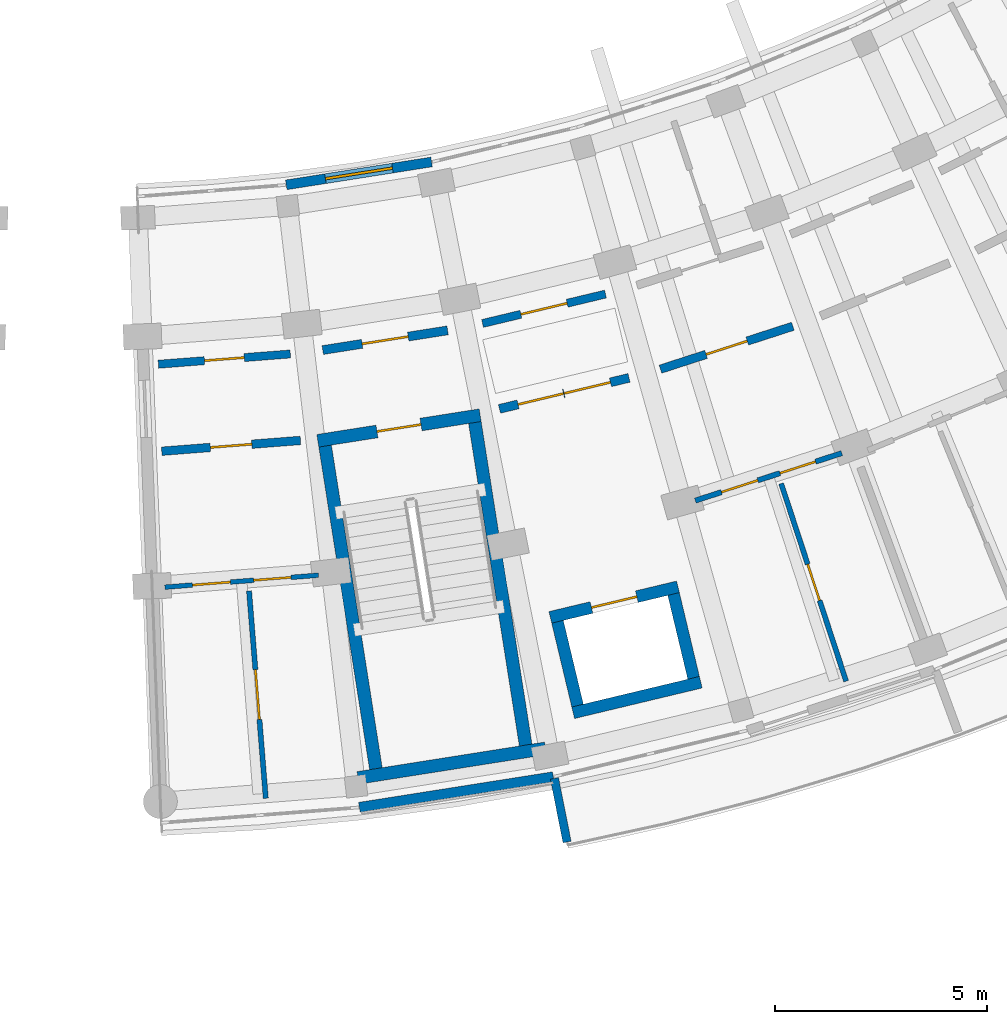
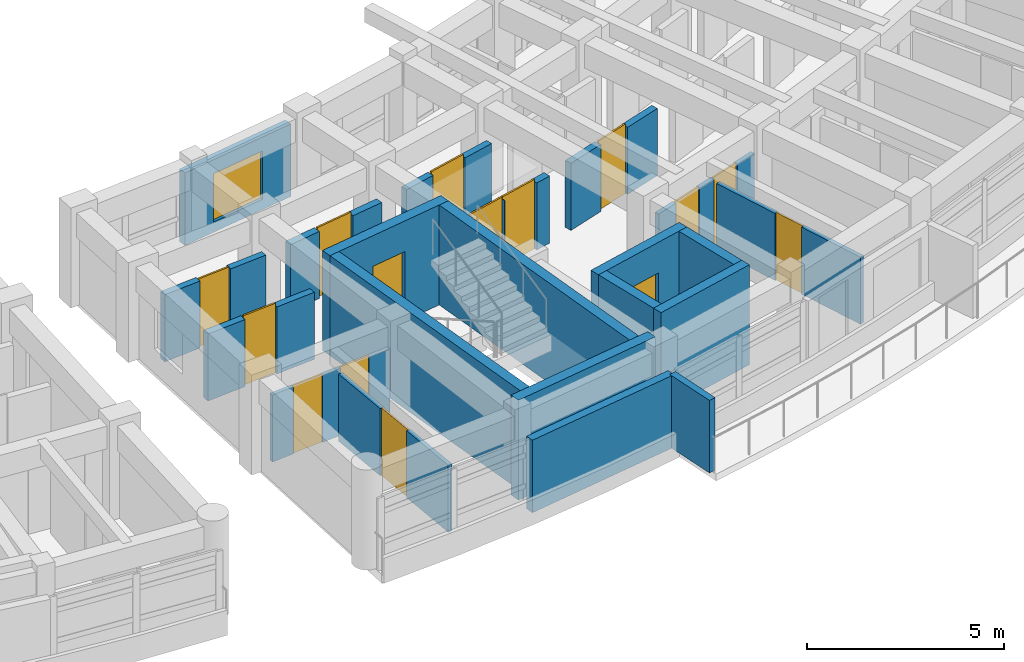
# One storey, part 52 of 70: 21 walls, 15 doors, 1 window, 16 openings.
"""IFC4 building model written with IfcOpenShell, lengths in metres."""

from ifc_helpers import new_model, si_unit, direction, frame, frame_2d, origin, place, context, subcontext, project, spatial, rectangle, extrude, material, layer, layer_set, type_object, element, fill, save


model = new_model("IFC4")

# Units and contexts
model_context = context("Model", 3, precision=1e-05, world=origin(), true_north=direction((0.0, 1.0)))
body_context = subcontext(model_context, "Body", "Model", "MODEL_VIEW")
ifc_project = project(units=[si_unit("LENGTHUNIT", "METRE"), si_unit("AREAUNIT", "SQUARE_METRE"), si_unit("VOLUMEUNIT", "CUBIC_METRE"), si_unit("PLANEANGLEUNIT", "RADIAN"), si_unit("MASSUNIT", "GRAM", prefix="KILO")], contexts=[model_context])

# Site, building, storey
site_placement = place(None, origin())
site = spatial("IfcSite", under=ifc_project, at=site_placement, CompositionType="ELEMENT")
building_placement = place(site_placement, origin())
building = spatial("IfcBuilding", under=site, at=building_placement, Name="Zimvara Arc Housing Community", CompositionType="ELEMENT")
storey_placement = place(building_placement, frame((0.0, 0.0, 8.10009765625)))
storey = spatial("IfcBuildingStorey", under=building, at=storey_placement, Name="L02", CompositionType="ELEMENT", Elevation=8.10009765625)

# Wall, opening, window
ifc_material_1 = material(Name="Board-Marked Fair-Faced Concrete C35/45", Category="concrete")
ifc_layer_1 = layer(ifc_material_1, 0.22998046875)
ifc_layer_set_1 = layer_set([ifc_layer_1], Name="Board-Marked Fair-Faced Concrete C35/45")
wall_type_1 = type_object("IfcWallType", Name="EWL-CONC-230", PredefinedType="SOLIDWALL", material=ifc_layer_set_1)
wall_1_placement = place(storey_placement, frame((131.20556640625, 65.5478515625, 0.0), z_axis=(0.0, 0.0, 1.0), x_axis=(0.987825183084, 0.155568016203, 0.0)))
wall_1 = element("IfcWall", 1, at=wall_1_placement, inside=storey, type_object=wall_type_1, Name="ewall:blkD:L02:in:b1", PredefinedType="SOLIDWALL", context=body_context, shape_type="SweptSolid", body=[
    extrude(rectangle(XDim=3.463623046875, YDim=0.22998046875, at=frame_2d((1.73193359375, 0.0))), origin(), (0.0, 0.0, 1.0), 2.25),
])
opening_1_placement = place(wall_1_placement, frame((0.931884765625, 0.0, 0.320068359375)))
opening_1 = element("IfcOpeningElement", 2, at=opening_1_placement, cuts=wall_1, Name="Opening W03", PredefinedType="OPENING", context=body_context, shape_type="SweptSolid", body=[
    extrude(rectangle(XDim=1.60009765625, YDim=1.5, at=frame_2d((0.800048828125, 0.75))), frame((0.0, 0.125, 0.0), z_axis=(0.0, -1.0, 0.0), x_axis=(1.0, 0.0, 0.0)), (0.0, 0.0, 1.0), 0.25),
])
ifc_material_2 = material(Name="Solar Control Low-E Double Glazing", Category="glass")
window_type = type_object("IfcWindowType", Name="WIN-RES-1600x1500", PartitioningType="DOUBLE_PANEL_VERTICAL", PredefinedType="WINDOW", material=ifc_material_2)
window_placement = place(opening_1_placement, origin())
window = element("IfcWindow", 3, at=window_placement, inside=storey, type_object=window_type, Name="win:blkD:L02:in:b1", OverallHeight=1.5, OverallWidth=1.60009765625, PartitioningType="DOUBLE_PANEL_VERTICAL", PredefinedType="WINDOW", context=body_context, shape_type="SweptSolid", body=[
    extrude(rectangle(XDim=1.60009765625, YDim=1.5, at=frame_2d((0.800048828125, 0.75))), frame((0.0, 0.030029296875, 0.0), z_axis=(0.0, -1.0, 0.0), x_axis=(1.0, 0.0, 0.0)), (0.0, 0.0, 1.0), 0.06005859375),
])
fill(opening_1, window)

# Walls
ifc_material_3 = material(Name="Board-Marked Fair-Faced Concrete C35/45", Category="concrete")
ifc_layer_2 = layer(ifc_material_3, 0.195068359375)
ifc_layer_set_2 = layer_set([ifc_layer_2], Name="Board-Marked Fair-Faced Concrete C35/45")
wall_type_2 = type_object("IfcWallType", Name="EWL-PARA-195", PredefinedType="PARAPET", material=ifc_layer_set_2)
wall_2_placement = place(storey_placement, frame((137.521484375, 51.571533203125, 0.0), z_axis=(0.0, 0.0, 1.0), x_axis=(0.194213040361, -0.980959374772, 0.0)))
element("IfcWall", 4, at=wall_2_placement, inside=storey, type_object=wall_type_2, Name="finwall:blkD:L02:out:b2", PredefinedType="PARAPET", context=body_context, shape_type="SweptSolid", body=[
    extrude(rectangle(XDim=1.52978515625, YDim=0.195068359375, at=frame_2d((0.764892578125, 0.0))), origin(), (0.0, 0.0, 1.0), 2.25),
])
ifc_material_4 = material(Name="Pigmented Fair-Faced Concrete C35/45", Category="concrete")
ifc_layer_3 = layer(ifc_material_4, 0.235107421875)
ifc_layer_set_3 = layer_set([ifc_layer_3], Name="Pigmented Fair-Faced Concrete C35/45")
wall_type_3 = type_object("IfcWallType", Name="EWL-PIGM-235", PredefinedType="SOLIDWALL", material=ifc_layer_set_3)
wall_3_placement = place(storey_placement, frame((132.927734375, 50.888671875, 0.0), z_axis=(0.0, 0.0, 1.0), x_axis=(0.987828826394, 0.155544880165, 0.0)))
element("IfcWall", 5, at=wall_3_placement, inside=storey, type_object=wall_type_3, Name="ewall:blkD:L02:out:b1", PredefinedType="SOLIDWALL", context=body_context, shape_type="SweptSolid", body=[
    extrude(rectangle(XDim=4.622314453125, YDim=0.235107421875, at=frame_2d((2.31103515625, 0.0))), origin(), (0.0, 0.0, 1.0), 2.25),
])

# Wall, opening, door
ifc_material_5 = material(Name="Concrete C35/45", Category="concrete")
ifc_layer_4 = layer(ifc_material_5, 0.2099609375)
ifc_layer_set_4 = layer_set([ifc_layer_4], Name="Concrete C35/45")
wall_type_4 = type_object("IfcWallType", Name="IWL-CCF-210", PredefinedType="SOLIDWALL", material=ifc_layer_set_4)
wall_4_placement = place(storey_placement, frame((132.065185546875, 61.6572265625, 0.0), z_axis=(0.0, 0.0, 1.0), x_axis=(0.987816121487, 0.155625544594, 0.0)))
wall_4 = element("IfcWall", 6, at=wall_4_placement, inside=storey, type_object=wall_type_4, Name="iwall:blkD:L02:ccf_div:b1", PredefinedType="SOLIDWALL", context=body_context, shape_type="SweptSolid", body=[
    extrude(rectangle(XDim=2.97607421875, YDim=0.2099609375, at=frame_2d((1.488037109375, 0.0))), origin(), (0.0, 0.0, 1.0), 2.079833984375),
])
opening_2_placement = place(wall_4_placement, frame((0.93798828125, 0.0, 0.0)))
opening_2 = element("IfcOpeningElement", 7, at=opening_2_placement, cuts=wall_4, Name="Opening FD-CCF1", PredefinedType="OPENING", context=body_context, shape_type="SweptSolid", body=[
    extrude(rectangle(XDim=1.10009765625, YDim=2.14990234375, at=frame_2d((0.550048828125, 1.074951171875))), frame((0.0, 0.114990234375, 0.0), z_axis=(0.0, -1.0, 0.0), x_axis=(1.0, 0.0, 0.0)), (0.0, 0.0, 1.0), 0.22998046875),
])
ifc_material_6 = material(Name="Anodised Aluminium AW-6063", Category="aluminium")
door_type_1 = type_object("IfcDoorType", Name="IDR-CCF-1100x2150", OperationType="NOTDEFINED", PredefinedType="DOOR", material=ifc_material_6)
door_1_placement = place(opening_2_placement, origin())
door_1 = element("IfcDoor", 8, at=door_1_placement, inside=storey, type_object=door_type_1, Name="idoor:blkD:L02:ccf_in:b1", OperationType="SINGLE_SWING_LEFT", OverallHeight=2.14990234375, OverallWidth=1.10009765625, PredefinedType="DOOR", context=body_context, shape_type="SweptSolid", body=[
    extrude(rectangle(XDim=1.10009765625, YDim=2.14990234375, at=frame_2d((0.550048828125, 1.074951171875))), frame((0.0, 0.02490234375, 0.0), z_axis=(0.0, -1.0, 0.0), x_axis=(1.0, 0.0, 0.0)), (0.0, 0.0, 1.0), 0.050048828125),
])
fill(opening_2, door_1)

# Wall, openings, doors
wall_5_placement = place(storey_placement, frame((136.2265625, 60.272216796875, 0.0), z_axis=(0.0, 0.0, 1.0), x_axis=(0.972564346632, 0.232634029456, 0.0)))
wall_5 = element("IfcWall", 9, at=wall_5_placement, inside=storey, type_object=wall_type_4, Name="iwall:blkD:L02:ll_div:b2", PredefinedType="SOLIDWALL", context=body_context, shape_type="SweptSolid", body=[
    extrude(rectangle(XDim=3.136962890625, YDim=0.2099609375, at=frame_2d((1.568359375, 0.0))), origin(), (0.0, 0.0, 1.0), 2.079833984375),
])
opening_3_placement = place(wall_5_placement, frame((0.449951171875, 0.0, 0.0)))
opening_3 = element("IfcOpeningElement", 10, at=opening_3_placement, cuts=wall_5, Name="Opening FD-CCF1", PredefinedType="OPENING", context=body_context, shape_type="SweptSolid", body=[
    extrude(rectangle(XDim=1.10009765625, YDim=2.14990234375, at=frame_2d((0.550048828125, 1.074951171875))), frame((0.0, 0.114990234375, 0.0), z_axis=(0.0, -1.0, 0.0), x_axis=(1.0, 0.0, 0.0)), (0.0, 0.0, 1.0), 0.22998046875),
])
opening_4_placement = place(wall_5_placement, frame((1.56689453125, 0.0, 0.0)))
opening_4 = element("IfcOpeningElement", 11, at=opening_4_placement, cuts=wall_5, Name="Opening D07", PredefinedType="OPENING", context=body_context, shape_type="SweptSolid", body=[
    extrude(rectangle(XDim=1.1201171875, YDim=2.14990234375, at=frame_2d((0.56005859375, 1.074951171875))), frame((0.0, 0.114990234375, 0.0), z_axis=(0.0, -1.0, 0.0), x_axis=(1.0, 0.0, 0.0)), (0.0, 0.0, 1.0), 0.22998046875),
])
ifc_material_7 = material(Name="Mozambican Hardwood", Category="wood")
door_type_2 = type_object("IfcDoorType", Name="IDR-AMN-1120x2150", OperationType="NOTDEFINED", PredefinedType="DOOR", material=ifc_material_7)
door_2_placement = place(opening_4_placement, origin())
door_2 = element("IfcDoor", 12, at=door_2_placement, inside=storey, type_object=door_type_2, Name="idoor:blkD:L02:rs_in:b2", OperationType="SINGLE_SWING_LEFT", OverallHeight=2.14990234375, OverallWidth=1.1201171875, PredefinedType="DOOR", context=body_context, shape_type="SweptSolid", body=[
    extrude(rectangle(XDim=1.1201171875, YDim=2.14990234375, at=frame_2d((0.56005859375, 1.074951171875))), frame((0.0, 0.02490234375, 0.0), z_axis=(0.0, -1.0, 0.0), x_axis=(1.0, 0.0, 0.0)), (0.0, 0.0, 1.0), 0.050048828125),
])
fill(opening_4, door_2)
door_3_placement = place(opening_3_placement, origin())
door_3 = element("IfcDoor", 13, at=door_3_placement, inside=storey, type_object=door_type_1, Name="idoor:blkD:L02:ll_in:b2", OperationType="SINGLE_SWING_RIGHT", OverallHeight=2.14990234375, OverallWidth=1.10009765625, PredefinedType="DOOR", context=body_context, shape_type="SweptSolid", body=[
    extrude(rectangle(XDim=1.10009765625, YDim=2.14990234375, at=frame_2d((0.550048828125, 1.074951171875))), frame((0.0, 0.02490234375, 0.0), z_axis=(0.0, -1.0, 0.0), x_axis=(1.0, 0.0, 0.0)), (0.0, 0.0, 1.0), 0.050048828125),
])
fill(opening_3, door_3)

# Wall, opening, door
ifc_material_8 = material(Name="Concrete C35/45", Category="concrete")
ifc_layer_5 = layer(ifc_material_8, 0.18994140625)
ifc_layer_set_5 = layer_set([ifc_layer_5], Name="Concrete C35/45")
wall_type_5 = type_object("IfcWallType", Name="IWL-CORR-190", PredefinedType="SOLIDWALL", material=ifc_layer_set_5)
wall_6_placement = place(storey_placement, frame((128.194580078125, 61.322998046875, 0.0), z_axis=(0.0, 0.0, 1.0), x_axis=(0.996987280187, 0.077565218655, 0.0)))
wall_6 = element("IfcWall", 14, at=wall_6_placement, inside=storey, type_object=wall_type_5, Name="iwall:blkD:L02:corr_in:b0", PredefinedType="SOLIDWALL", context=body_context, shape_type="SweptSolid", body=[
    extrude(rectangle(XDim=3.115966796875, YDim=0.18994140625, at=frame_2d((1.55810546875, 0.0))), origin(), (0.0, 0.0, 1.0), 2.079833984375),
])
opening_5_placement = place(wall_6_placement, frame((1.087890625, 0.0, 0.0)))
opening_5 = element("IfcOpeningElement", 15, at=opening_5_placement, cuts=wall_6, Name="Opening D03", PredefinedType="OPENING", context=body_context, shape_type="SweptSolid", body=[
    extrude(rectangle(XDim=0.93994140625, YDim=2.10009765625, at=frame_2d((0.469970703125, 1.050048828125))), frame((0.0, 0.10498046875, 0.0), z_axis=(0.0, -1.0, 0.0), x_axis=(1.0, 0.0, 0.0)), (0.0, 0.0, 1.0), 0.2099609375),
])
ifc_material_9 = material(Name="Mozambican Hardwood", Category="wood")
door_type_3 = type_object("IfcDoorType", Name="IDR-RM-0940x2100", OperationType="NOTDEFINED", PredefinedType="DOOR", material=ifc_material_9)
door_4_placement = place(opening_5_placement, origin())
door_4 = element("IfcDoor", 16, at=door_4_placement, inside=storey, type_object=door_type_3, Name="idoor:blkD:L02:in_rm:b0", OperationType="SINGLE_SWING_LEFT", OverallHeight=2.10009765625, OverallWidth=0.93994140625, PredefinedType="DOOR", context=body_context, shape_type="SweptSolid", body=[
    extrude(rectangle(XDim=0.93994140625, YDim=2.10009765625, at=frame_2d((0.469970703125, 1.050048828125))), frame((0.0, 0.02490234375, 0.0), z_axis=(0.0, -1.0, 0.0), x_axis=(1.0, 0.0, 0.0)), (0.0, 0.0, 1.0), 0.050048828125),
])
fill(opening_5, door_4)

wall_7_placement = place(storey_placement, frame((135.828369140625, 62.283203125, 0.0), z_axis=(0.0, 0.0, 1.0), x_axis=(0.972558314217, 0.232659247501, 0.0)))
wall_7 = element("IfcWall", 17, at=wall_7_placement, inside=storey, type_object=wall_type_5, Name="iwall:blkD:L02:ra_div:b2", PredefinedType="SOLIDWALL", context=body_context, shape_type="SweptSolid", body=[
    extrude(rectangle(XDim=2.97607421875, YDim=0.18994140625, at=frame_2d((1.488037109375, 0.0))), origin(), (0.0, 0.0, 1.0), 2.079833984375),
])
opening_6_placement = place(wall_7_placement, frame((0.927978515625, 0.0, 0.0)))
opening_6 = element("IfcOpeningElement", 18, at=opening_6_placement, cuts=wall_7, Name="Opening D07", PredefinedType="OPENING", context=body_context, shape_type="SweptSolid", body=[
    extrude(rectangle(XDim=1.1201171875, YDim=2.14990234375, at=frame_2d((0.56005859375, 1.074951171875))), frame((0.0, 0.10498046875, 0.0), z_axis=(0.0, -1.0, 0.0), x_axis=(1.0, 0.0, 0.0)), (0.0, 0.0, 1.0), 0.2099609375),
])
door_5_placement = place(opening_6_placement, origin())
door_5 = element("IfcDoor", 19, at=door_5_placement, inside=storey, type_object=door_type_2, Name="idoor:blkD:L02:ra_d:b2", OperationType="SINGLE_SWING_RIGHT", OverallHeight=2.14990234375, OverallWidth=1.1201171875, PredefinedType="DOOR", context=body_context, shape_type="SweptSolid", body=[
    extrude(rectangle(XDim=1.1201171875, YDim=2.14990234375, at=frame_2d((0.56005859375, 1.074951171875))), frame((0.0, 0.02490234375, 0.0), z_axis=(0.0, -1.0, 0.0), x_axis=(1.0, 0.0, 0.0)), (0.0, 0.0, 1.0), 0.050048828125),
])
fill(opening_6, door_5)

ifc_material_10 = material(Name="Concrete C35/45", Category="concrete")
ifc_layer_6 = layer(ifc_material_10, 0.199951171875)
ifc_layer_set_6 = layer_set([ifc_layer_6], Name="Concrete C35/45")
wall_type_6 = type_object("IfcWallType", Name="IWL-CORR-200", PredefinedType="SOLIDWALL", material=ifc_layer_set_6)
wall_8_placement = place(storey_placement, frame((128.273193359375, 59.2744140625, 0.0), z_axis=(0.0, 0.0, 1.0), x_axis=(0.996982624396, 0.077625038827, 0.0)))
wall_8 = element("IfcWall", 20, at=wall_8_placement, inside=storey, type_object=wall_type_6, Name="iwall:blkD:L02:corr_out:b0", PredefinedType="SOLIDWALL", context=body_context, shape_type="SweptSolid", body=[
    extrude(rectangle(XDim=3.27734375, YDim=0.199951171875, at=frame_2d((1.638671875, 0.0))), origin(), (0.0, 0.0, 1.0), 2.079833984375),
])
opening_7_placement = place(wall_8_placement, frame((1.1484375, 0.0, 0.0)))
opening_7 = element("IfcOpeningElement", 21, at=opening_7_placement, cuts=wall_8, Name="Opening FD-FL1", PredefinedType="OPENING", context=body_context, shape_type="SweptSolid", body=[
    extrude(rectangle(XDim=0.97998046875, YDim=2.14990234375, at=frame_2d((0.489990234375, 1.074951171875))), frame((0.0, 0.10986328125, 0.0), z_axis=(0.0, -1.0, 0.0), x_axis=(1.0, 0.0, 0.0)), (0.0, 0.0, 1.0), 0.219970703125),
])
ifc_material_11 = material(Name="Mozambican Hardwood", Category="wood")
door_type_4 = type_object("IfcDoorType", Name="IDR-FLAT-0980x2150", OperationType="NOTDEFINED", PredefinedType="DOOR", material=ifc_material_11)
door_6_placement = place(opening_7_placement, origin())
door_6 = element("IfcDoor", 22, at=door_6_placement, inside=storey, type_object=door_type_4, Name="idoor:blkD:L02:flat:b0", OperationType="SINGLE_SWING_RIGHT", OverallHeight=2.14990234375, OverallWidth=0.97998046875, PredefinedType="DOOR", context=body_context, shape_type="SweptSolid", body=[
    extrude(rectangle(XDim=0.97998046875, YDim=2.14990234375, at=frame_2d((0.489990234375, 1.074951171875))), frame((0.0, 0.02490234375, 0.0), z_axis=(0.0, -1.0, 0.0), x_axis=(1.0, 0.0, 0.0)), (0.0, 0.0, 1.0), 0.050048828125),
])
fill(opening_7, door_6)

wall_9_placement = place(storey_placement, frame((140.018798828125, 61.20751953125, 0.0), z_axis=(0.0, 0.0, 1.0), x_axis=(0.951323803878, 0.308193154005, 0.0)))
wall_9 = element("IfcWall", 23, at=wall_9_placement, inside=storey, type_object=wall_type_6, Name="iwall:blkD:L02:corr_out:b3", PredefinedType="SOLIDWALL", context=body_context, shape_type="SweptSolid", body=[
    extrude(rectangle(XDim=3.277099609375, YDim=0.199951171875, at=frame_2d((1.638671875, 0.0))), origin(), (0.0, 0.0, 1.0), 2.079833984375),
])
opening_8_placement = place(wall_9_placement, frame((1.12841796875, 0.0, 0.0)))
opening_8 = element("IfcOpeningElement", 24, at=opening_8_placement, cuts=wall_9, Name="Opening FD-FL2", PredefinedType="OPENING", context=body_context, shape_type="SweptSolid", body=[
    extrude(rectangle(XDim=1.02001953125, YDim=2.14990234375, at=frame_2d((0.510009765625, 1.074951171875))), frame((0.0, 0.10986328125, 0.0), z_axis=(0.0, -1.0, 0.0), x_axis=(1.0, 0.0, 0.0)), (0.0, 0.0, 1.0), 0.219970703125),
])
ifc_material_12 = material(Name="Mozambican Hardwood", Category="wood")
door_type_5 = type_object("IfcDoorType", Name="IDR-FLAT-1020x2150", OperationType="NOTDEFINED", PredefinedType="DOOR", material=ifc_material_12)
door_7_placement = place(opening_8_placement, origin())
door_7 = element("IfcDoor", 25, at=door_7_placement, inside=storey, type_object=door_type_5, Name="idoor:blkD:L02:flat:b3", OperationType="SINGLE_SWING_LEFT", OverallHeight=2.14990234375, OverallWidth=1.02001953125, PredefinedType="DOOR", context=body_context, shape_type="SweptSolid", body=[
    extrude(rectangle(XDim=1.02001953125, YDim=2.14990234375, at=frame_2d((0.510009765625, 1.074951171875))), frame((0.0, 0.02490234375, 0.0), z_axis=(0.0, -1.0, 0.0), x_axis=(1.0, 0.0, 0.0)), (0.0, 0.0, 1.0), 0.050048828125),
])
fill(opening_8, door_7)

# Wall, openings, doors
ifc_material_13 = material(Name="Painted Acoustic Plasterboard")
ifc_layer_7 = layer(ifc_material_13, 0.110107421875)
ifc_layer_set_7 = layer_set([ifc_layer_7], Name="Painted Acoustic Plasterboard")
wall_type_7 = type_object("IfcWallType", Name="IWL-PART-110", PredefinedType="PARTITIONING", material=ifc_layer_set_7)
wall_10_placement = place(storey_placement, frame((128.34619140625, 56.072998046875, 0.0), z_axis=(0.0, 0.0, 1.0), x_axis=(0.996986014478, 0.077581485773, 0.0)))
wall_10 = element("IfcWall", 26, at=wall_10_placement, inside=storey, type_object=wall_type_7, Name="iwall:blkD:L02:srv:b0", PredefinedType="PARTITIONING", context=body_context, shape_type="SweptSolid", body=[
    extrude(rectangle(XDim=3.62841796875, YDim=0.110107421875, at=frame_2d((1.814208984375, 0.0))), origin(), (0.0, 0.0, 1.0), 2.079833984375),
])
opening_9_placement = place(wall_10_placement, frame((0.64990234375, 0.0, 0.0)))
opening_9 = element("IfcOpeningElement", 27, at=opening_9_placement, cuts=wall_10, Name="Opening D01", PredefinedType="OPENING", context=body_context, shape_type="SweptSolid", body=[
    extrude(rectangle(XDim=0.89990234375, YDim=2.10009765625, at=frame_2d((0.449951171875, 1.050048828125))), frame((0.0, 0.06494140625, 0.0), z_axis=(0.0, -1.0, 0.0), x_axis=(1.0, 0.0, 0.0)), (0.0, 0.0, 1.0), 0.130126953125),
])
opening_10_placement = place(wall_10_placement, frame((2.098388671875, 0.0, 0.0)))
opening_10 = element("IfcOpeningElement", 28, at=opening_10_placement, cuts=wall_10, Name="Opening D05", PredefinedType="OPENING", context=body_context, shape_type="SweptSolid", body=[
    extrude(rectangle(XDim=0.8798828125, YDim=2.10009765625, at=frame_2d((0.43994140625, 1.050048828125))), frame((0.0, 0.06494140625, 0.0), z_axis=(0.0, -1.0, 0.0), x_axis=(1.0, 0.0, 0.0)), (0.0, 0.0, 1.0), 0.130126953125),
])
ifc_material_14 = material(Name="Mozambican Hardwood", Category="wood")
door_type_6 = type_object("IfcDoorType", Name="IDR-RM-0900x2100", OperationType="NOTDEFINED", PredefinedType="DOOR", material=ifc_material_14)
door_8_placement = place(opening_9_placement, origin())
door_8 = element("IfcDoor", 29, at=door_8_placement, inside=storey, type_object=door_type_6, Name="idoor:blkD:L02:kit_liv:b0", OperationType="SINGLE_SWING_RIGHT", OverallHeight=2.10009765625, OverallWidth=0.89990234375, PredefinedType="DOOR", context=body_context, shape_type="SweptSolid", body=[
    extrude(rectangle(XDim=0.89990234375, YDim=2.10009765625, at=frame_2d((0.449951171875, 1.050048828125))), frame((0.0, 0.02490234375, 0.0), z_axis=(0.0, -1.0, 0.0), x_axis=(1.0, 0.0, 0.0)), (0.0, 0.0, 1.0), 0.050048828125),
])
fill(opening_9, door_8)
ifc_material_15 = material(Name="Mozambican Hardwood", Category="wood")
door_type_7 = type_object("IfcDoorType", Name="IDR-WC-0880x2100", OperationType="NOTDEFINED", PredefinedType="DOOR", material=ifc_material_15)
door_9_placement = place(opening_10_placement, origin())
door_9 = element("IfcDoor", 30, at=door_9_placement, inside=storey, type_object=door_type_7, Name="idoor:blkD:L02:bath_d:b0", OperationType="SINGLE_SWING_LEFT", OverallHeight=2.10009765625, OverallWidth=0.8798828125, PredefinedType="DOOR", context=body_context, shape_type="SweptSolid", body=[
    extrude(rectangle(XDim=0.8798828125, YDim=2.10009765625, at=frame_2d((0.43994140625, 1.050048828125))), frame((0.0, 0.02490234375, 0.0), z_axis=(0.0, -1.0, 0.0), x_axis=(1.0, 0.0, 0.0)), (0.0, 0.0, 1.0), 0.050048828125),
])
fill(opening_10, door_9)

# Wall, opening, door
ifc_material_16 = material(Name="Painted Acoustic Plasterboard")
ifc_layer_8 = layer(ifc_material_16, 0.1201171875)
ifc_layer_set_8 = layer_set([ifc_layer_8], Name="Painted Acoustic Plasterboard")
wall_type_8 = type_object("IfcWallType", Name="IWL-PART-120", PredefinedType="PARTITIONING", material=ifc_layer_set_8)
wall_11_placement = place(storey_placement, frame((130.329345703125, 55.9853515625, 0.0), z_axis=(0.0, 0.0, 1.0), x_axis=(0.080464029972, -0.99675751308, 0.0)))
wall_11 = element("IfcWall", 31, at=wall_11_placement, inside=storey, type_object=wall_type_8, Name="iwall:blkD:L02:bed_div:b0", PredefinedType="PARTITIONING", context=body_context, shape_type="SweptSolid", body=[
    extrude(rectangle(XDim=4.900146484375, YDim=0.1201171875, at=frame_2d((2.4501953125, 0.0))), origin(), (0.0, 0.0, 1.0), 2.079833984375),
])
opening_11_placement = place(wall_11_placement, frame((1.860107421875, 0.0, 0.0)))
opening_11 = element("IfcOpeningElement", 32, at=opening_11_placement, cuts=wall_11, Name="Opening D18", PredefinedType="OPENING", context=body_context, shape_type="SweptSolid", body=[
    extrude(rectangle(XDim=1.179931640625, YDim=2.10009765625, at=frame_2d((0.58984375, 1.050048828125))), frame((0.0, 0.070068359375, 0.0), z_axis=(0.0, -1.0, 0.0), x_axis=(1.0, 0.0, 0.0)), (0.0, 0.0, 1.0), 0.14013671875),
])
ifc_material_17 = material(Name="Mozambican Hardwood", Category="wood")
door_type_8 = type_object("IfcDoorType", Name="IDR-MOD-1180x2120", OperationType="NOTDEFINED", PredefinedType="DOOR", material=ifc_material_17)
door_10_placement = place(opening_11_placement, origin())
door_10 = element("IfcDoor", 33, at=door_10_placement, inside=storey, type_object=door_type_8, Name="idoor:blkD:L02:bed_d:b0", OperationType="SINGLE_SWING_RIGHT", OverallHeight=2.10009765625, OverallWidth=1.179931640625, PredefinedType="DOOR", context=body_context, shape_type="SweptSolid", body=[
    extrude(rectangle(XDim=1.179931640625, YDim=2.10009765625, at=frame_2d((0.58984375, 1.050048828125))), frame((0.0, 0.02490234375, 0.0), z_axis=(0.0, -1.0, 0.0), x_axis=(1.0, 0.0, 0.0)), (0.0, 0.0, 1.0), 0.050048828125),
])
fill(opening_11, door_10)

wall_12_placement = place(storey_placement, frame((142.8603515625, 58.513427734375, 0.0), z_axis=(0.0, 0.0, 1.0), x_axis=(0.312308755556, -0.949980653068, 0.0)))
wall_12 = element("IfcWall", 34, at=wall_12_placement, inside=storey, type_object=wall_type_8, Name="iwall:blkD:L02:bed_div:b3", PredefinedType="PARTITIONING", context=body_context, shape_type="SweptSolid", body=[
    extrude(rectangle(XDim=4.89990234375, YDim=0.1201171875, at=frame_2d((2.449951171875, 0.0))), origin(), (0.0, 0.0, 1.0), 2.079833984375),
])
opening_12_placement = place(wall_12_placement, frame((2.0, 0.0, 0.0)))
opening_12 = element("IfcOpeningElement", 35, at=opening_12_placement, cuts=wall_12, Name="Opening D01", PredefinedType="OPENING", context=body_context, shape_type="SweptSolid", body=[
    extrude(rectangle(XDim=0.89990234375, YDim=2.10009765625, at=frame_2d((0.449951171875, 1.050048828125))), frame((0.0, 0.070068359375, 0.0), z_axis=(0.0, -1.0, 0.0), x_axis=(1.0, 0.0, 0.0)), (0.0, 0.0, 1.0), 0.14013671875),
])
door_11_placement = place(opening_12_placement, origin())
door_11 = element("IfcDoor", 36, at=door_11_placement, inside=storey, type_object=door_type_6, Name="idoor:blkD:L02:bed_d:b3", OperationType="SINGLE_SWING_RIGHT", OverallHeight=2.10009765625, OverallWidth=0.89990234375, PredefinedType="DOOR", context=body_context, shape_type="SweptSolid", body=[
    extrude(rectangle(XDim=0.89990234375, YDim=2.10009765625, at=frame_2d((0.449951171875, 1.050048828125))), frame((0.0, 0.02490234375, 0.0), z_axis=(0.0, -1.0, 0.0), x_axis=(1.0, 0.0, 0.0)), (0.0, 0.0, 1.0), 0.050048828125),
])
fill(opening_12, door_11)

# Wall, openings, doors
ifc_material_18 = material(Name="Painted Acoustic Plasterboard")
ifc_layer_9 = layer(ifc_material_18, 0.125)
ifc_layer_set_9 = layer_set([ifc_layer_9], Name="Painted Acoustic Plasterboard")
wall_type_9 = type_object("IfcWallType", Name="IWL-PART-125", PredefinedType="PARTITIONING", material=ifc_layer_set_9)
wall_13_placement = place(storey_placement, frame((140.837158203125, 58.111572265625, 0.0), z_axis=(0.0, 0.0, 1.0), x_axis=(0.951327366371, 0.308182157164, 0.0)))
wall_13 = element("IfcWall", 37, at=wall_13_placement, inside=storey, type_object=wall_type_9, Name="iwall:blkD:L02:srv:b3", PredefinedType="PARTITIONING", context=body_context, shape_type="SweptSolid", body=[
    extrude(rectangle(XDim=3.628173828125, YDim=0.125, at=frame_2d((1.81396484375, 0.0))), origin(), (0.0, 0.0, 1.0), 2.079833984375),
])
opening_13_placement = place(wall_13_placement, frame((0.64990234375, 0.0, 0.0)))
opening_13 = element("IfcOpeningElement", 38, at=opening_13_placement, cuts=wall_13, Name="Opening D01", PredefinedType="OPENING", context=body_context, shape_type="SweptSolid", body=[
    extrude(rectangle(XDim=0.89990234375, YDim=2.10009765625, at=frame_2d((0.449951171875, 1.050048828125))), frame((0.0, 0.072509765625, 0.0), z_axis=(0.0, -1.0, 0.0), x_axis=(1.0, 0.0, 0.0)), (0.0, 0.0, 1.0), 0.14501953125),
])
opening_14_placement = place(wall_13_placement, frame((2.098388671875, 0.0, 0.0)))
opening_14 = element("IfcOpeningElement", 39, at=opening_14_placement, cuts=wall_13, Name="Opening D05", PredefinedType="OPENING", context=body_context, shape_type="SweptSolid", body=[
    extrude(rectangle(XDim=0.8798828125, YDim=2.10009765625, at=frame_2d((0.43994140625, 1.050048828125))), frame((0.0, 0.072509765625, 0.0), z_axis=(0.0, -1.0, 0.0), x_axis=(1.0, 0.0, 0.0)), (0.0, 0.0, 1.0), 0.14501953125),
])
door_12_placement = place(opening_13_placement, origin())
door_12 = element("IfcDoor", 40, at=door_12_placement, inside=storey, type_object=door_type_6, Name="idoor:blkD:L02:kit_liv:b3", OperationType="SINGLE_SWING_RIGHT", OverallHeight=2.10009765625, OverallWidth=0.89990234375, PredefinedType="DOOR", context=body_context, shape_type="SweptSolid", body=[
    extrude(rectangle(XDim=0.89990234375, YDim=2.10009765625, at=frame_2d((0.449951171875, 1.050048828125))), frame((0.0, 0.02490234375, 0.0), z_axis=(0.0, -1.0, 0.0), x_axis=(1.0, 0.0, 0.0)), (0.0, 0.0, 1.0), 0.050048828125),
])
fill(opening_13, door_12)
door_13_placement = place(opening_14_placement, origin())
door_13 = element("IfcDoor", 41, at=door_13_placement, inside=storey, type_object=door_type_7, Name="idoor:blkD:L02:bath_d:b3", OperationType="SINGLE_SWING_LEFT", OverallHeight=2.10009765625, OverallWidth=0.8798828125, PredefinedType="DOOR", context=body_context, shape_type="SweptSolid", body=[
    extrude(rectangle(XDim=0.8798828125, YDim=2.10009765625, at=frame_2d((0.43994140625, 1.050048828125))), frame((0.0, 0.02490234375, 0.0), z_axis=(0.0, -1.0, 0.0), x_axis=(1.0, 0.0, 0.0)), (0.0, 0.0, 1.0), 0.050048828125),
])
fill(opening_14, door_13)

# Wall, opening, door
ifc_material_19 = material(Name="Concrete C40/50", Category="concrete")
ifc_layer_10 = layer(ifc_material_19, 0.280029296875)
ifc_layer_set_10 = layer_set([ifc_layer_10], Name="Concrete C40/50")
wall_type_10 = type_object("IfcWallType", Name="WL-CORE-280", PredefinedType="SHEAR", material=ifc_layer_set_10)
wall_14_placement = place(storey_placement, frame((137.4248046875, 55.3623046875, 0.0), z_axis=(0.0, 0.0, 1.0), x_axis=(0.972573452388, 0.232595958069, 0.0)))
wall_14 = element("IfcWall", 42, at=wall_14_placement, inside=storey, type_object=wall_type_10, Name="lwall:LP-D1:L02:front", PredefinedType="SHEAR", context=body_context, shape_type="SweptSolid", body=[
    extrude(rectangle(XDim=3.090087890625, YDim=0.280029296875, at=frame_2d((1.544921875, 0.0))), origin(), (0.0, 0.0, 1.0), 3.099853515625),
])
opening_15_placement = place(wall_14_placement, frame((0.9951171875, 0.0, 0.0)))
opening_15 = element("IfcOpeningElement", 43, at=opening_15_placement, cuts=wall_14, Name="Opening LD-LP-D1", PredefinedType="OPENING", context=body_context, shape_type="SweptSolid", body=[
    extrude(rectangle(XDim=1.10009765625, YDim=2.14990234375, at=frame_2d((0.550048828125, 1.074951171875))), frame((0.0, 0.14990234375, 0.0), z_axis=(0.0, -1.0, 0.0), x_axis=(1.0, 0.0, 0.0)), (0.0, 0.0, 1.0), 0.300048828125),
])
ifc_material_20 = material(Name="Anodised Aluminium AW-6063", Category="aluminium")
door_type_9 = type_object("IfcDoorType", Name="IDR-LD-1100x2150", OperationType="DOUBLE_DOOR_SLIDING", PredefinedType="DOOR", material=ifc_material_20)
door_14_placement = place(opening_15_placement, origin())
door_14 = element("IfcDoor", 44, at=door_14_placement, inside=storey, type_object=door_type_9, Name="Lift LP-D1 Sliding Landing Door L02", OperationType="DOUBLE_DOOR_SLIDING", OverallHeight=2.14990234375, OverallWidth=1.10009765625, PredefinedType="DOOR", context=body_context, shape_type="SweptSolid", body=[
    extrude(rectangle(XDim=1.10009765625, YDim=2.14990234375, at=frame_2d((0.550048828125, 1.074951171875))), frame((0.0, 0.02490234375, 0.0), z_axis=(0.0, -1.0, 0.0), x_axis=(1.0, 0.0, 0.0)), (0.0, 0.0, 1.0), 0.050048828125),
])
fill(opening_15, door_14)

# Walls
wall_15_placement = place(storey_placement, frame((137.962158203125, 53.11572265625, 0.0), z_axis=(0.0, 0.0, 1.0), x_axis=(0.972573452388, 0.232595958069, 0.0)))
element("IfcWall", 45, at=wall_15_placement, inside=storey, type_object=wall_type_10, Name="lwall:LP-D1:L02:back", PredefinedType="SHEAR", context=body_context, shape_type="SweptSolid", body=[
    extrude(rectangle(XDim=3.090087890625, YDim=0.280029296875, at=frame_2d((1.544921875, 0.0))), origin(), (0.0, 0.0, 1.0), 3.099853515625),
])
for number, where, z_axis, x_axis, name in (
    (46, (137.593505859375, 55.2587890625, 0.0), (0.0, 0.0, 1.0), (0.232590524316, -0.972574751882, 0.0), "lwall:LP-D1:L02:left"),
    (47, (140.326416015625, 55.912353515625, 0.0), (0.0, 0.0, 1.0), (0.232590524316, -0.972574751882, 0.0), "lwall:LP-D1:L02:right"),
):
    element("IfcWall", number, at=place(storey_placement, frame(where, z_axis=z_axis, x_axis=x_axis)), inside=storey, type_object=wall_type_10, Name=name, PredefinedType="SHEAR", context=body_context, shape_type="SweptSolid", body=[
        extrude(rectangle(XDim=2.030029296875, YDim=0.280029296875, at=frame_2d((1.01513671875, 0.0))), origin(), (0.0, 0.0, 1.0), 3.099853515625),
    ])

# Wall, opening, door
ifc_material_21 = material(Name="Concrete C40/50", Category="concrete")
ifc_layer_11 = layer(ifc_material_21, 0.300048828125)
ifc_layer_set_11 = layer_set([ifc_layer_11], Name="Concrete C40/50")
wall_type_11 = type_object("IfcWallType", Name="WL-CORE-300", PredefinedType="SHEAR", material=ifc_layer_set_11)
wall_16_placement = place(storey_placement, frame((131.948974609375, 59.520751953125, 0.0), z_axis=(0.0, 0.0, 1.0), x_axis=(0.98782579805, 0.155564111245, 0.0)))
wall_16 = element("IfcWall", 48, at=wall_16_placement, inside=storey, type_object=wall_type_11, Name="cwall:ST-D1:L02:near", PredefinedType="SHEAR", context=body_context, shape_type="SweptSolid", body=[
    extrude(rectangle(XDim=3.8701171875, YDim=0.300048828125, at=frame_2d((1.93505859375, 0.0))), origin(), (0.0, 0.0, 1.0), 3.099853515625),
])
opening_16_placement = place(wall_16_placement, frame((1.409912109375, 0.0, 0.0)))
opening_16 = element("IfcOpeningElement", 49, at=opening_16_placement, cuts=wall_16, Name="Opening FD-ST2", PredefinedType="OPENING", context=body_context, shape_type="SweptSolid", body=[
    extrude(rectangle(XDim=1.050048828125, YDim=2.14990234375, at=frame_2d((0.52490234375, 1.074951171875))), frame((0.0, 0.159912109375, 0.0), z_axis=(0.0, -1.0, 0.0), x_axis=(1.0, 0.0, 0.0)), (0.0, 0.0, 1.0), 0.320068359375),
])
ifc_material_22 = material(Name="Anodised Aluminium AW-6063", Category="aluminium")
door_type_10 = type_object("IfcDoorType", Name="IDR-ST-1050x2150", OperationType="NOTDEFINED", PredefinedType="DOOR", material=ifc_material_22)
door_15_placement = place(opening_16_placement, origin())
door_15 = element("IfcDoor", 50, at=door_15_placement, inside=storey, type_object=door_type_10, Name="idoor:ST-D1:L02:entry", OperationType="SINGLE_SWING_RIGHT", OverallHeight=2.14990234375, OverallWidth=1.050048828125, PredefinedType="DOOR", context=body_context, shape_type="SweptSolid", body=[
    extrude(rectangle(XDim=1.050048828125, YDim=2.14990234375, at=frame_2d((0.52490234375, 1.074951171875))), frame((0.0, 0.02490234375, 0.0), z_axis=(0.0, -1.0, 0.0), x_axis=(1.0, 0.0, 0.0)), (0.0, 0.0, 1.0), 0.050048828125),
])
fill(opening_16, door_15)

# Walls
wall_17_placement = place(storey_placement, frame((132.895751953125, 51.581298828125, 0.0), z_axis=(0.0, 0.0, 1.0), x_axis=(0.987819142769, 0.155606366126, 0.0)))
element("IfcWall", 51, at=wall_17_placement, inside=storey, type_object=wall_type_11, Name="cwall:ST-D1:L02:far", PredefinedType="SHEAR", context=body_context, shape_type="SweptSolid", body=[
    extrude(rectangle(XDim=4.469970703125, YDim=0.300048828125, at=frame_2d((2.23486328125, 0.0))), origin(), (0.0, 0.0, 1.0), 3.099853515625),
])
wall_18_placement = place(storey_placement, frame((132.12060546875, 59.39599609375, 0.0), z_axis=(0.0, 0.0, 1.0), x_axis=(0.155563141844, -0.987825950712, 0.0)))
element("IfcWall", 52, at=wall_18_placement, inside=storey, type_object=wall_type_11, Name="cwall:ST-D1:L02:left", PredefinedType="SHEAR", context=body_context, shape_type="SweptSolid", body=[
    extrude(rectangle(XDim=7.68994140625, YDim=0.300048828125, at=frame_2d((3.844970703125, 0.0))), origin(), (0.0, 0.0, 1.0), 3.099853515625),
])
wall_19_placement = place(storey_placement, frame((135.647216796875, 59.951171875, 0.0), z_axis=(0.0, 0.0, 1.0), x_axis=(0.155568020624, -0.987825182388, 0.0)))
element("IfcWall", 53, at=wall_19_placement, inside=storey, type_object=wall_type_11, Name="cwall:ST-D1:L02:right", PredefinedType="SHEAR", context=body_context, shape_type="SweptSolid", body=[
    extrude(rectangle(XDim=7.689697265625, YDim=0.300048828125, at=frame_2d((3.8447265625, 0.0))), origin(), (0.0, 0.0, 1.0), 3.099853515625),
])

save(model, "model.ifc")
